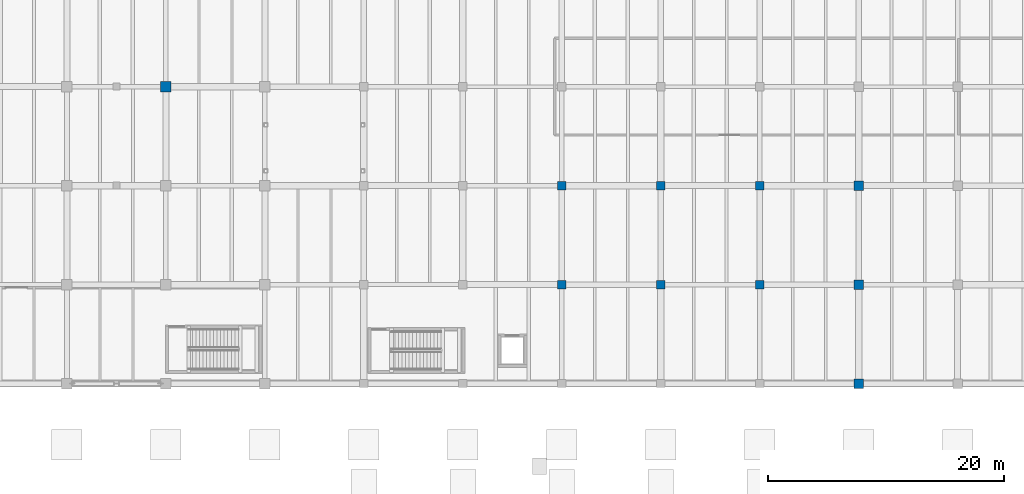
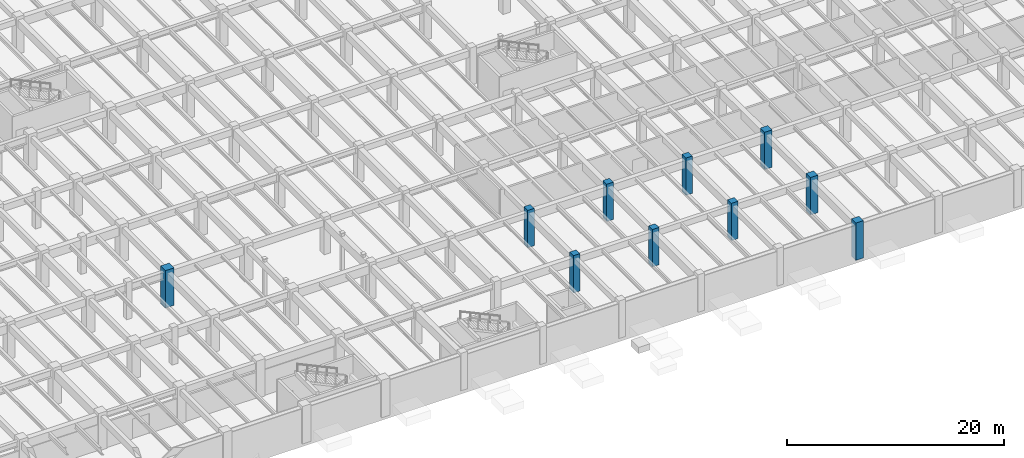
# One storey, part 4 of 63: 10 columns.
"""IFC4 building model written with IfcOpenShell, lengths in metres."""

from ifc_helpers import new_model, si_unit, direction, frame, origin, origin_2d, place, context, subcontext, project, spatial, rectangle, extrude, material, material_profile, profile_set, type_object, element, save


model = new_model("IFC4")

# Units and contexts
model_context = context("Model", 3, precision=1e-05, world=origin(), true_north=direction((0.0, 1.0)))
body_context = subcontext(model_context, "Body", "Model", "MODEL_VIEW")
ifc_project = project(units=[si_unit("LENGTHUNIT", "METRE"), si_unit("AREAUNIT", "SQUARE_METRE"), si_unit("VOLUMEUNIT", "CUBIC_METRE"), si_unit("PLANEANGLEUNIT", "RADIAN"), si_unit("MASSUNIT", "GRAM", prefix="KILO")], contexts=[model_context])

# Site, building, storey
site_placement = place(None, origin())
site = spatial("IfcSite", under=ifc_project, at=site_placement, CompositionType="ELEMENT")
building_placement = place(site_placement, origin())
building = spatial("IfcBuilding", under=site, at=building_placement, Name="Cumbredor Promenade Congress Hotel", CompositionType="ELEMENT")
storey_placement = place(building_placement, frame((0.0, 0.0, -4.199951171875)))
storey = spatial("IfcBuildingStorey", under=building, at=storey_placement, Name="B01", CompositionType="ELEMENT", Elevation=-4.199951171875)

# Columns
ifc_material_1 = material(Name="Concrete C40/50", Category="concrete")
ifc_material_profile_1 = material_profile(ifc_material_1, rectangle(XDim=0.699951171875, YDim=0.699951171875, at=origin_2d()), Name="RC 700x700")
ifc_profile_set_1 = profile_set([ifc_material_profile_1], Name="Concrete C40/50")
column_type_1 = type_object("IfcColumnType", Name="COL-RC-700", PredefinedType="COLUMN", material=ifc_profile_set_1)
for number, where, z_axis, x_axis, name in (
    (1, (92.39990234375, 16.800048828125, 0.0), (0.0, 0.0, 1.0), (1.0, 0.0, 0.0), "B01 Structural Column 143"),
    (2, (92.39990234375, 25.199951171875, 0.0), (0.0, 0.0, 1.0), (1.0, 0.0, 0.0), "B01 Structural Column 144"),
    (3, (100.800048828125, 16.800048828125, 0.0), (0.0, 0.0, 1.0), (1.0, 0.0, 0.0), "B01 Structural Column 157"),
    (4, (100.800048828125, 25.199951171875, 0.0), (0.0, 0.0, 1.0), (1.0, 0.0, 0.0), "B01 Structural Column 158"),
    (5, (109.199951171875, 16.800048828125, 0.0), (0.0, 0.0, 1.0), (1.0, 0.0, 0.0), "B01 Structural Column 171"),
    (6, (109.199951171875, 25.199951171875, 0.0), (0.0, 0.0, 1.0), (1.0, 0.0, 0.0), "B01 Structural Column 172"),
):
    element("IfcColumn", number, at=place(storey_placement, frame(where, z_axis=z_axis, x_axis=x_axis)), inside=storey, type_object=column_type_1, Name=name, PredefinedType="COLUMN", context=body_context, shape_type="SweptSolid", body=[
        extrude(rectangle(XDim=0.699951171875, YDim=0.699951171875, at=origin_2d()), origin(), (0.0, 0.0, 1.0), 4.199951171875),
    ])
ifc_material_2 = material(Name="Concrete C50/60", Category="concrete")
ifc_material_profile_2 = material_profile(ifc_material_2, rectangle(XDim=0.800048828125, YDim=0.800048828125, at=origin_2d()), Name="RC 800x800")
ifc_profile_set_2 = profile_set([ifc_material_profile_2], Name="Concrete C50/60")
column_type_2 = type_object("IfcColumnType", Name="COL-RC-800", PredefinedType="COLUMN", material=ifc_profile_set_2)
for number, where, z_axis, x_axis, name in (
    (7, (117.60009765625, 8.39990234375, 0.0), (0.0, 0.0, 1.0), (1.0, 0.0, 0.0), "B01 Structural Column 184"),
    (8, (117.60009765625, 16.800048828125, 0.0), (0.0, 0.0, 1.0), (1.0, 0.0, 0.0), "B01 Structural Column 185"),
    (9, (117.60009765625, 25.199951171875, 0.0), (0.0, 0.0, 1.0), (1.0, 0.0, 0.0), "B01 Structural Column 186"),
):
    element("IfcColumn", number, at=place(storey_placement, frame(where, z_axis=z_axis, x_axis=x_axis)), inside=storey, type_object=column_type_2, Name=name, PredefinedType="COLUMN", context=body_context, shape_type="SweptSolid", body=[
        extrude(rectangle(XDim=0.800048828125, YDim=0.800048828125, at=origin_2d()), origin(), (0.0, 0.0, 1.0), 4.199951171875),
    ])
ifc_material_profile_3 = material_profile(ifc_material_2, rectangle(XDim=0.89990234375, YDim=0.89990234375, at=origin_2d()), Name="RC 900x900")
ifc_profile_set_3 = profile_set([ifc_material_profile_3], Name="Concrete C50/60")
column_type_3 = type_object("IfcColumnType", Name="COL-RC-900", PredefinedType="COLUMN", material=ifc_profile_set_3)
column_placement = place(storey_placement, frame((58.800048828125, 33.60009765625, 0.0), z_axis=(0.0, 0.0, 1.0), x_axis=(1.0, 0.0, 0.0)))
element("IfcColumn", 10, at=column_placement, inside=storey, type_object=column_type_3, Name="B01 Structural Column 089", PredefinedType="COLUMN", context=body_context, shape_type="SweptSolid", body=[
    extrude(rectangle(XDim=0.89990234375, YDim=0.89990234375, at=origin_2d()), origin(), (0.0, 0.0, 1.0), 4.199951171875),
])

save(model, "model.ifc")
